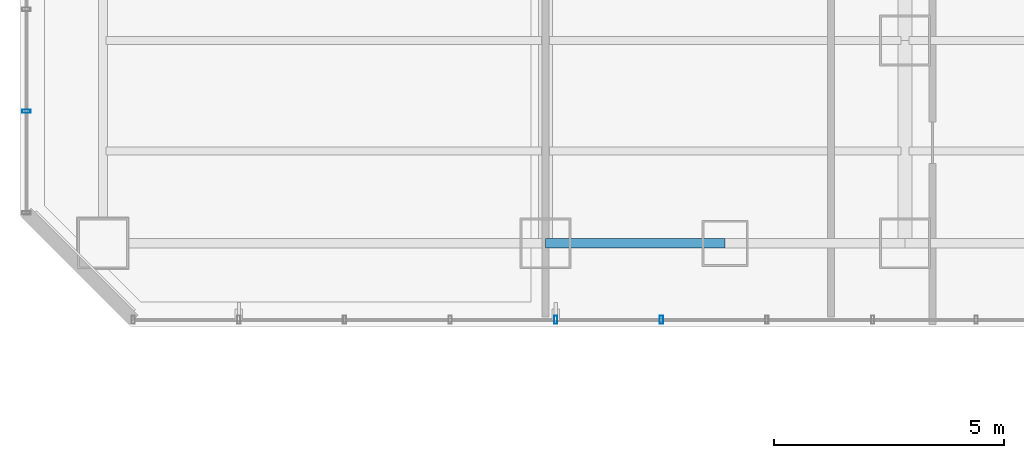
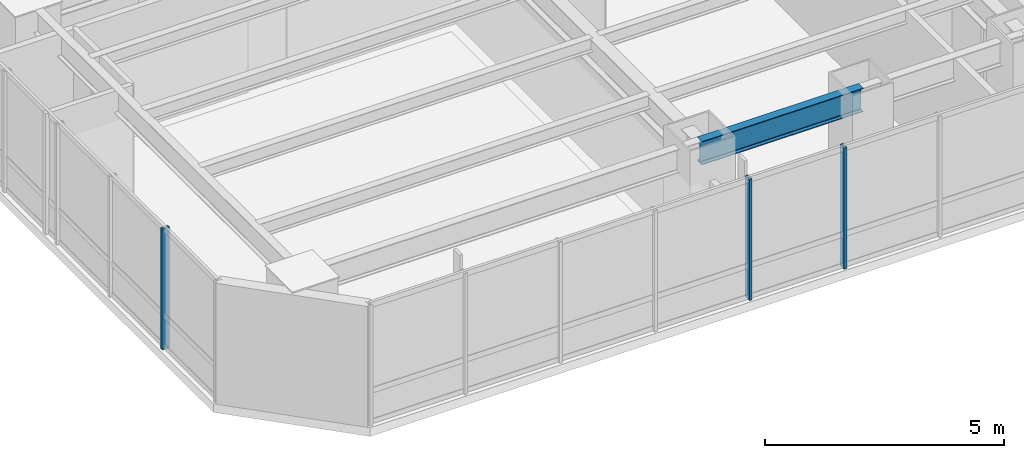
# One storey, part 4 of 39: 3 members, 1 beam, 2 elements without a shape of their own.
"""IFC4 building model written with IfcOpenShell, lengths in metres."""

from ifc_helpers import new_model, si_unit, direction, frame, origin, origin_2d, place, context, subcontext, project, spatial, hollow_rectangle, i_section, extrude, material, layer, layer_set, material_profile, profile_set, type_object, element, aggregate, save


model = new_model("IFC4")

# Units and contexts
model_context = context("Model", 3, precision=1e-05, world=origin(), true_north=direction((0.0, 1.0)))
body_context = subcontext(model_context, "Body", "Model", "MODEL_VIEW")
ifc_project = project(units=[si_unit("LENGTHUNIT", "METRE"), si_unit("AREAUNIT", "SQUARE_METRE"), si_unit("VOLUMEUNIT", "CUBIC_METRE"), si_unit("PLANEANGLEUNIT", "RADIAN"), si_unit("MASSUNIT", "GRAM", prefix="KILO")], contexts=[model_context])

# Site, building, storey
site_placement = place(None, origin())
site = spatial("IfcSite", under=ifc_project, at=site_placement, CompositionType="ELEMENT")
building_placement = place(site_placement, origin())
building = spatial("IfcBuilding", under=site, at=building_placement, Name="Hatsunagi Terrace Concourse", CompositionType="ELEMENT")
storey_placement = place(building_placement, frame((0.0, 0.0, 66.75)))
storey = spatial("IfcBuildingStorey", under=building, at=storey_placement, Name="L17", CompositionType="ELEMENT", Elevation=66.75)

# Curtain wall, members
ifc_material_1 = material(Name="Anodised Aluminium Alloy 6063-T5", Category="aluminium")
ifc_layer = layer(ifc_material_1, 0.199951171875)
ifc_layer_set = layer_set([ifc_layer], Name="HotelFacade_CW02")
curtain_wall_type = type_object("IfcCurtainWallType", Name="HotelFacade_CW02", PredefinedType="NOTDEFINED", material=ifc_layer_set)
curtain_wall_1_placement = place(storey_placement, origin())
curtain_wall_1 = element("IfcCurtainWall", 1, at=curtain_wall_1_placement, inside=storey, type_object=curtain_wall_type, Name="Unitised Curtain Wall CW-02 CW-L17-07", PredefinedType="NOTDEFINED")
ifc_material_2 = material(Name="Anodised Aluminium Alloy 6063-T5", Category="aluminium")
ifc_material_profile_1 = material_profile(ifc_material_2, hollow_rectangle(XDim=0.070068359375, YDim=0.179931640625, WallThickness=0.00390625, at=origin_2d()), Name="ALU-MUL-180x70x4")
ifc_profile_set_1 = profile_set([ifc_material_profile_1], Name="Anodised Aluminium Alloy 6063-T5")
member_type = type_object("IfcMemberType", Name="CurtainWallMullion_180x70", PredefinedType="MULLION", material=ifc_profile_set_1)
member_1_placement = place(storey_placement, frame((13.9169921875, 23.5400390625, 0.0), z_axis=(0.0, 0.0, 1.0), x_axis=(-1.0, 0.0, 0.0)))
member_1 = element("IfcMember", 2, at=member_1_placement, type_object=member_type, Name="Curtain Wall Mullion MUL-02", PredefinedType="MULLION", context=body_context, shape_type="SweptSolid", body=[
    extrude(hollow_rectangle(XDim=0.070068359375, YDim=0.179931640625, WallThickness=0.00390625, at=origin_2d()), origin(), (0.0, 0.0, 1.0), 3.090087890625),
])
member_2_placement = place(storey_placement, frame((11.625, 23.5400390625, 0.0), z_axis=(0.0, 0.0, 1.0), x_axis=(-1.0, 0.0, 0.0)))
member_2 = element("IfcMember", 3, at=member_2_placement, type_object=member_type, Name="Curtain Wall Mullion MUL-02", PredefinedType="MULLION", context=body_context, shape_type="SweptSolid", body=[
    extrude(hollow_rectangle(XDim=0.070068359375, YDim=0.179931640625, WallThickness=0.00390625, at=origin_2d()), origin(), (0.0, 0.0, 1.0), 3.090087890625),
])
aggregate(curtain_wall_1, [member_1, member_2])

# Curtain wall, member
curtain_wall_2_placement = place(storey_placement, origin())
curtain_wall_2 = element("IfcCurtainWall", 4, at=curtain_wall_2_placement, inside=storey, type_object=curtain_wall_type, Name="Unitised Curtain Wall CW-02 CW-L17-09", PredefinedType="NOTDEFINED")
member_3_placement = place(storey_placement, frame((0.139892578125, 28.06591796875, 0.0), z_axis=(0.0, 0.0, 1.0), x_axis=(0.0, 1.0, 0.0)))
member_3 = element("IfcMember", 5, at=member_3_placement, type_object=member_type, Name="Curtain Wall Mullion MUL-02", PredefinedType="MULLION", context=body_context, shape_type="SweptSolid", body=[
    extrude(hollow_rectangle(XDim=0.070068359375, YDim=0.179931640625, WallThickness=0.00390625, at=origin_2d()), origin(), (0.0, 0.0, 1.0), 3.090087890625),
])
aggregate(curtain_wall_2, [member_3])

# Beam
ifc_material_3 = material(Name="Steel SN490B", Category="steel")
ifc_material_profile_2 = material_profile(ifc_material_3, i_section(OverallWidth=0.199951171875, OverallDepth=0.60009765625, WebThickness=0.010986328125, FlangeThickness=0.01708984375, FilletRadius=0.01806640625, at=origin_2d()), Name="H-600x200x11x17")
ifc_profile_set_2 = profile_set([ifc_material_profile_2], Name="Steel SN490B")
beam_type = type_object("IfcBeamType", Name="PerimeterSpandrel_H_600x200", PredefinedType="SPANDREL", material=ifc_profile_set_2)
beam_placement = place(storey_placement, frame((11.39990234375, 25.199951171875, 2.830078125), z_axis=(1.0, 0.0, 0.0), x_axis=(0.0, 1.0, 0.0)))
element("IfcBeam", 6, at=beam_placement, inside=storey, type_object=beam_type, Name="Beam SP-01 BM-L17-WS-11", PredefinedType="SPANDREL", context=body_context, shape_type="SweptSolid", body=[
    extrude(i_section(OverallWidth=0.199951171875, OverallDepth=0.60009765625, WebThickness=0.010986328125, FlangeThickness=0.01708984375, FilletRadius=0.01806640625, at=origin_2d()), origin(), (0.0, 0.0, 1.0), 3.900146484375),
])

save(model, "model.ifc")
